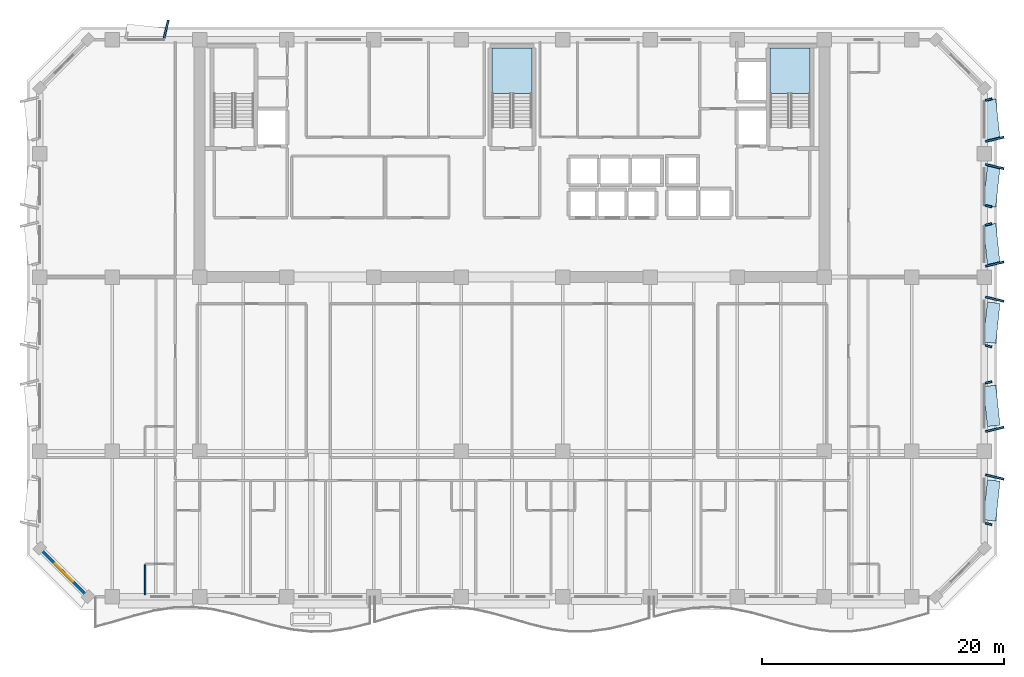
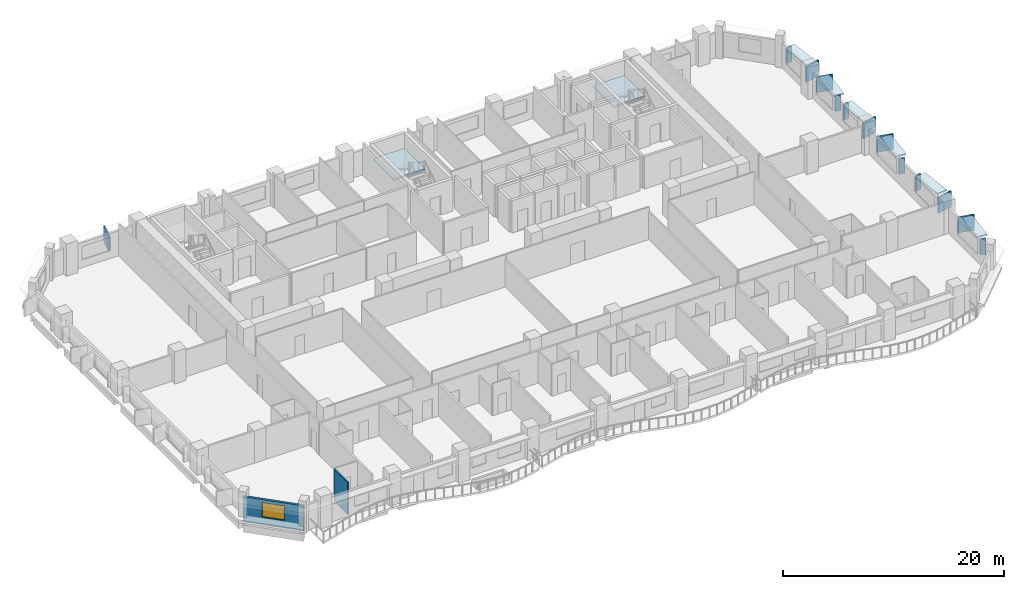
# One storey, part 3 of 15: 19 plates, 2 slabs, 2 walls, 1 window, 1 opening, 2 elements without a shape of their own.
"""IFC4 building model written with IfcOpenShell, lengths in metres."""

from ifc_helpers import new_model, si_unit, direction, frame, frame_2d, origin, origin_2d, place, context, subcontext, project, spatial, polyline, rectangle, outline, extrude, material, layer, layer_set, type_object, element, fill, aggregate, save


model = new_model("IFC4")

# Units and contexts
model_context = context("Model", 3, precision=1e-05, world=origin(), true_north=direction((0.0, 1.0)))
body_context = subcontext(model_context, "Body", "Model", "MODEL_VIEW")
ifc_project = project(units=[si_unit("LENGTHUNIT", "METRE"), si_unit("AREAUNIT", "SQUARE_METRE"), si_unit("VOLUMEUNIT", "CUBIC_METRE"), si_unit("PLANEANGLEUNIT", "RADIAN"), si_unit("MASSUNIT", "GRAM", prefix="KILO")], contexts=[model_context])

# Site, building, storey
site_placement = place(None, origin())
site = spatial("IfcSite", under=ifc_project, at=site_placement, CompositionType="ELEMENT")
building_placement = place(site_placement, origin())
building = spatial("IfcBuilding", under=site, at=building_placement, Name="Kaelvorn Grand Hotel", CompositionType="ELEMENT")
storey_placement = place(building_placement, frame((0.0, 0.0, 150.550048828125)))
storey = spatial("IfcBuildingStorey", under=building, at=storey_placement, Name="L36", CompositionType="ELEMENT", Elevation=150.550048828125)

# Plates
ifc_material_1 = material(Name="Precast concrete C45/55", Category="concrete")
ifc_layer_1 = layer(ifc_material_1, 0.159912109375)
ifc_layer_set_1 = layer_set([ifc_layer_1], Name="Precast concrete C45/55")
plate_type_1 = type_object("IfcPlateType", Name="PL-FRAME-DEEP-1550", PredefinedType="USERDEFINED", material=ifc_layer_set_1)
for number, where, z_axis, x_axis, name in (
    (1, (81.85498046875, 12.889892578125, 0.81494140625), (0.0, 0.0, 1.0), (0.233445363856, 0.972369920398, 0.0), "L36 Tilted Precast Window Frame Fin R-E01"),
    (2, (81.85498046875, 16.824951171875, 0.81494140625), (0.0, 0.0, 1.0), (-0.233445363856, 0.972369920398, 0.0), "L36 Tilted Precast Window Frame Fin L-E02"),
    (3, (81.85498046875, 27.574951171875, 0.81494140625), (0.0, 0.0, 1.0), (0.233445363856, 0.972369920398, 0.0), "L36 Tilted Precast Window Frame Fin R-E03"),
    (4, (81.85498046875, 30.47509765625, 0.73974609375), (0.0, 0.0, 1.0), (-0.233445363856, 0.972369920398, 0.0), "L36 Tilted Precast Window Frame Fin L-E04"),
    (5, (81.85498046875, 38.52490234375, 0.73974609375), (0.0, 0.0, 1.0), (0.233445363856, 0.972369920398, 0.0), "L36 Tilted Precast Window Frame Fin R-E05"),
    (6, (81.85498046875, 40.77490234375, 0.73974609375), (0.0, 0.0, 1.0), (-0.233445363856, 0.972369920398, 0.0), "L36 Tilted Precast Window Frame Fin L-E06"),
    (7, (13.43994140625, 49.85498046875, 0.73974609375), (0.0, 0.0, 1.0), (0.972369920398, -0.233445363856, 0.0), "L36 Tilted Precast Window Frame Fin R-N01"),
):
    element("IfcPlate", number, at=place(storey_placement, frame(where, z_axis=z_axis, x_axis=x_axis)), inside=storey, type_object=plate_type_1, Name=name, ObjectType="FLANGE_PLATE", PredefinedType="USERDEFINED", context=body_context, shape_type="SweptSolid", body=[
        extrude(rectangle(XDim=0.159912109375, YDim=1.550048828125, at=origin_2d()), origin(), (0.0, 0.0, 1.0), 1.719970703125),
    ])
ifc_layer_2 = layer(ifc_material_1, 0.159912109375)
ifc_layer_set_2 = layer_set([ifc_layer_2], Name="Precast concrete C45/55")
plate_type_2 = type_object("IfcPlateType", Name="PL-FRAME-HEAD-1050", PredefinedType="USERDEFINED", material=ifc_layer_set_2)
for number, where, z_axis, x_axis, name in (
    (8, (81.60498046875, 10.949951171875, 2.5), (0.0, 0.0, 1.0), (0.105830199459, 0.994384215926, 0.0), "L36 Precast Window Frame Head Hood H-E01"),
    (9, (81.60498046875, 18.764892578125, 2.5), (0.0, 0.0, 1.0), (-0.105830199459, 0.994384215926, 0.0), "L36 Precast Window Frame Head Hood H-E02"),
    (10, (81.60498046875, 25.635009765625, 2.5), (0.0, 0.0, 1.0), (0.105830199459, 0.994384215926, 0.0), "L36 Precast Window Frame Head Hood H-E03"),
    (11, (81.60498046875, 32.114990234375, 2.35009765625), (0.0, 0.0, 1.0), (-0.105830199459, 0.994384215926, 0.0), "L36 Precast Window Frame Head Hood H-E04"),
    (12, (81.60498046875, 36.885009765625, 2.35009765625), (0.0, 0.0, 1.0), (0.105830199459, 0.994384215926, 0.0), "L36 Precast Window Frame Head Hood H-E05"),
    (13, (81.60498046875, 42.4150390625, 2.35009765625), (0.0, 0.0, 1.0), (-0.105830199459, 0.994384215926, 0.0), "L36 Precast Window Frame Head Hood H-E06"),
):
    element("IfcPlate", number, at=place(storey_placement, frame(where, z_axis=z_axis, x_axis=x_axis)), inside=storey, type_object=plate_type_2, Name=name, ObjectType="FLANGE_PLATE", PredefinedType="USERDEFINED", context=body_context, shape_type="SweptSolid", body=[
        extrude(rectangle(XDim=3.320068359375, YDim=1.050048828125, at=origin_2d()), origin(), (0.0, 0.0, 1.0), 0.159912109375),
    ])
ifc_layer_3 = layer(ifc_material_1, 0.159912109375)
ifc_layer_set_3 = layer_set([ifc_layer_3], Name="Precast concrete C45/55")
plate_type_3 = type_object("IfcPlateType", Name="PL-FRAME-SHAL-550", PredefinedType="USERDEFINED", material=ifc_layer_set_3)
for number, where, z_axis, x_axis, name in (
    (14, (81.35498046875, 9.010009765625, 0.81494140625), (0.0, 0.0, 1.0), (0.233445363856, 0.972369920398, 0.0), "L36 Tilted Precast Window Frame Fin L-E01"),
    (15, (81.35498046875, 20.705078125, 0.81494140625), (0.0, 0.0, 1.0), (-0.233445363856, 0.972369920398, 0.0), "L36 Tilted Precast Window Frame Fin R-E02"),
    (16, (81.35498046875, 23.695068359375, 0.81494140625), (0.0, 0.0, 1.0), (0.233445363856, 0.972369920398, 0.0), "L36 Tilted Precast Window Frame Fin L-E03"),
    (17, (81.35498046875, 33.7548828125, 0.73974609375), (0.0, 0.0, 1.0), (-0.233445363856, 0.972369920398, 0.0), "L36 Tilted Precast Window Frame Fin R-E04"),
    (18, (81.35498046875, 35.2451171875, 0.73974609375), (0.0, 0.0, 1.0), (0.233445363856, 0.972369920398, 0.0), "L36 Tilted Precast Window Frame Fin L-E05"),
    (19, (81.35498046875, 44.054931640625, 0.73974609375), (0.0, 0.0, 1.0), (-0.233445363856, 0.972369920398, 0.0), "L36 Tilted Precast Window Frame Fin R-E06"),
):
    element("IfcPlate", number, at=place(storey_placement, frame(where, z_axis=z_axis, x_axis=x_axis)), inside=storey, type_object=plate_type_3, Name=name, ObjectType="FLANGE_PLATE", PredefinedType="USERDEFINED", context=body_context, shape_type="SweptSolid", body=[
        extrude(rectangle(XDim=0.159912109375, YDim=0.550048828125, at=origin_2d()), origin(), (0.0, 0.0, 1.0), 1.719970703125),
    ])

# Stair, slab
ifc_material_2 = material(Name="Concrete C40/50", Category="concrete")
stair_type = type_object("IfcStairType", Name="STR-DOG-1560-R08", PredefinedType="HALF_TURN_STAIR", material=ifc_material_2)
stair_1_placement = place(storey_placement, origin())
stair_1 = element("IfcStair", 20, at=stair_1_placement, inside=storey, type_object=stair_type, Name="L36 Central Core Exit Stair ST2", PredefinedType="HALF_TURN_STAIR")
ifc_layer_4 = layer(ifc_material_2, 0.199951171875)
ifc_layer_set_4 = layer_set([ifc_layer_4], Name="Concrete C40/50")
slab_type = type_object("IfcSlabType", Name="SLB-LAND-200-C40", PredefinedType="LANDING", material=ifc_layer_set_4)
slab_1_placement = place(storey_placement, frame((0.0, 0.0, 1.699951171875)))
slab_1 = element("IfcSlab", 21, at=slab_1_placement, type_object=slab_type, Name="ST2 landing 1", PredefinedType="LANDING", context=body_context, shape_type="SweptSolid", body=[
    extrude(outline(polyline([(43.639892578125, 44.56005859375), (43.639892578125, 48.300048828125), (40.360107421875, 48.300048828125), (40.360107421875, 44.56005859375), (43.639892578125, 44.56005859375)])), origin(), (0.0, 0.0, 1.0), 0.199951171875),
])
aggregate(stair_1, [slab_1])

stair_2_placement = place(storey_placement, origin())
stair_2 = element("IfcStair", 22, at=stair_2_placement, inside=storey, type_object=stair_type, Name="L36 East Core Exit Stair ST3", PredefinedType="HALF_TURN_STAIR")
slab_2_placement = place(storey_placement, frame((0.0, 0.0, 1.699951171875)))
slab_2 = element("IfcSlab", 23, at=slab_2_placement, type_object=slab_type, Name="ST3 landing 1", PredefinedType="LANDING", context=body_context, shape_type="SweptSolid", body=[
    extrude(outline(polyline([(66.60009765625, 44.56005859375), (66.60009765625, 48.300048828125), (63.320068359375, 48.300048828125), (63.320068359375, 44.56005859375), (66.60009765625, 44.56005859375)])), origin(), (0.0, 0.0, 1.0), 0.199951171875),
])
aggregate(stair_2, [slab_2])

# Wall, opening, window
ifc_layer_5 = layer(ifc_material_2, 0.239990234375)
ifc_layer_set_5 = layer_set([ifc_layer_5], Name="Concrete C40/50")
wall_type_1 = type_object("IfcWallType", Name="WL-EXT-240-C40", PredefinedType="SOLIDWALL", material=ifc_layer_set_5)
wall_1_placement = place(storey_placement, frame((3.0, 7.0, 0.0), z_axis=(0.0, 0.0, 1.0), x_axis=(0.707106781187, -0.707106781187, 0.0)))
wall_1 = element("IfcWall", 24, at=wall_1_placement, inside=storey, type_object=wall_type_1, Name="L36 Exterior Architectural Concrete Wall 08", PredefinedType="SOLIDWALL", context=body_context, shape_type="SweptSolid", body=[
    extrude(rectangle(XDim=5.65673828125, YDim=0.239990234375, at=frame_2d((2.828369140625, 0.0))), origin(), (0.0, 0.0, 1.0), 2.760009765625),
])
opening_placement = place(wall_1_placement, frame((1.7783203125, 0.0, 0.85009765625)))
opening = element("IfcOpeningElement", 25, at=opening_placement, cuts=wall_1, Name="Opening W7", PredefinedType="OPENING", context=body_context, shape_type="SweptSolid", body=[
    extrude(rectangle(XDim=2.10009765625, YDim=1.60009765625, at=frame_2d((1.050048828125, 0.800048828125))), frame((0.0, 0.1298828125, 0.0), z_axis=(0.0, -1.0, 0.0), x_axis=(1.0, 0.0, 0.0)), (0.0, 0.0, 1.0), 0.260009765625),
])
ifc_material_3 = material(Name="Laminated Low-E Glass", Category="glass")
window_type = type_object("IfcWindowType", Name="WIN-CHM-2100x1600", PartitioningType="SINGLE_PANEL", PredefinedType="WINDOW", material=ifc_material_3)
window_placement = place(opening_placement, origin())
window = element("IfcWindow", 26, at=window_placement, inside=storey, type_object=window_type, Name="L36 Chamfered 45-Degree Corner Window SW", OverallHeight=1.60009765625, OverallWidth=2.10009765625, PartitioningType="SINGLE_PANEL", PredefinedType="WINDOW", context=body_context, shape_type="SweptSolid", body=[
    extrude(rectangle(XDim=2.10009765625, YDim=1.60009765625, at=frame_2d((1.050048828125, 0.800048828125))), frame((0.0, 0.030029296875, 0.0), z_axis=(0.0, -1.0, 0.0), x_axis=(1.0, 0.0, 0.0)), (0.0, 0.0, 1.0), 0.06005859375),
])
fill(opening, window)

# Wall
ifc_material_4 = material(Name="Moisture-Resistant Tile & Stud Board")
ifc_layer_6 = layer(ifc_material_4, 0.125)
ifc_layer_set_6 = layer_set([ifc_layer_6], Name="Moisture-Resistant Tile & Stud Board")
wall_type_2 = type_object("IfcWallType", Name="WL-PART-125-WET", PredefinedType="PARTITIONING", material=ifc_layer_set_6)
wall_2_placement = place(storey_placement, frame((11.699951171875, 3.14990234375, 0.0), z_axis=(0.0, 0.0, 1.0), x_axis=(0.0, 1.0, 0.0)))
element("IfcWall", 27, at=wall_2_placement, inside=storey, type_object=wall_type_2, Name="L36 En-suite Bathroom L36-10 W Partition", PredefinedType="PARTITIONING", context=body_context, shape_type="SweptSolid", body=[
    extrude(rectangle(XDim=2.482666015625, YDim=0.125, at=frame_2d((1.2412109375, 0.0))), origin(), (0.0, 0.0, 1.0), 3.56005859375),
])

save(model, "model.ifc")
